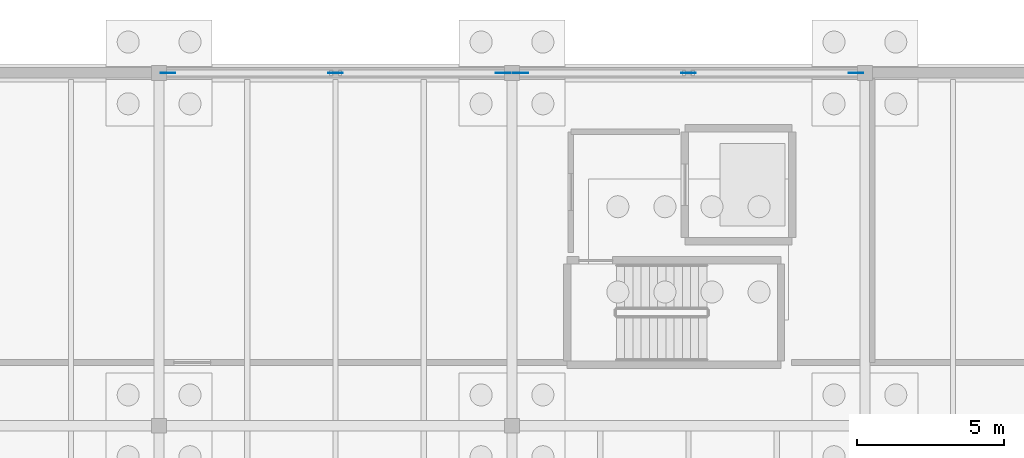
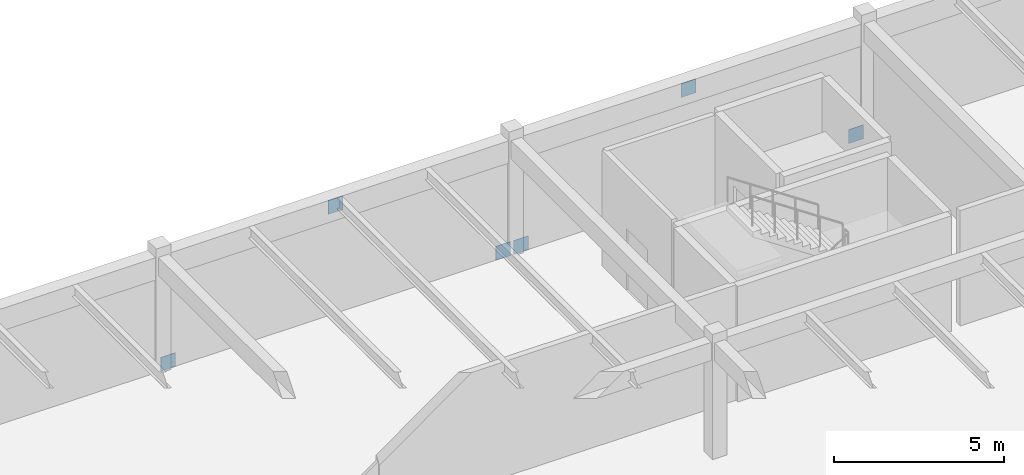
# One storey, part 9 of 20: 6 plates.
"""IFC4 building model written with IfcOpenShell, lengths in metres."""

from ifc_helpers import new_model, si_unit, direction, frame, origin, origin_2d, place, context, subcontext, project, spatial, rectangle, extrude, material, layer, layer_set, type_object, element, save


model = new_model("IFC4")

# Units and contexts
model_context = context("Model", 3, precision=1e-05, world=origin(), true_north=direction((0.0, 1.0)))
body_context = subcontext(model_context, "Body", "Model", "MODEL_VIEW")
ifc_project = project(units=[si_unit("LENGTHUNIT", "METRE"), si_unit("AREAUNIT", "SQUARE_METRE"), si_unit("VOLUMEUNIT", "CUBIC_METRE"), si_unit("PLANEANGLEUNIT", "RADIAN"), si_unit("MASSUNIT", "GRAM", prefix="KILO")], contexts=[model_context])

# Site, building, storey
site_placement = place(None, origin())
site = spatial("IfcSite", under=ifc_project, at=site_placement, CompositionType="ELEMENT")
building_placement = place(site_placement, origin())
building = spatial("IfcBuilding", under=site, at=building_placement, Name="Pandanus Reach Market Hall", CompositionType="ELEMENT")
storey_placement = place(building_placement, frame((0.0, 0.0, -4.5)))
storey = spatial("IfcBuildingStorey", under=building, at=storey_placement, Name="B1", CompositionType="ELEMENT", Elevation=-4.5)

# Plates
ifc_material = material(Name="Steel Grade 350 (350 MPa)", Category="steel")
ifc_layer = layer(ifc_material, 0.02001953125, Name="GS-PL20")
ifc_layer_set = layer_set([ifc_layer], Name="Steel Grade 350 (350 MPa)")
plate_type = type_object("IfcPlateType", Name="GS-PL20", PredefinedType="SHEET", material=ifc_layer_set)
for number, where, z_axis, x_axis, name in (
    (1, (96.300048828125, 120.0, -0.14990234375), (0.0, 0.0, 1.0), (1.0, 0.0, 0.0), "Brace gusset plate GS-PL20 1L"),
    (2, (102.0, 120.0, 3.5), (0.0, 0.0, 1.0), (1.0, 0.0, 0.0), "Brace gusset plate GS-PL20 1M"),
    (3, (107.699951171875, 120.0, -0.14990234375), (0.0, 0.0, 1.0), (1.0, 0.0, 0.0), "Brace gusset plate GS-PL20 1R"),
    (4, (108.300048828125, 120.0, -0.14990234375), (0.0, 0.0, 1.0), (1.0, 0.0, 0.0), "Brace gusset plate GS-PL20 2L"),
    (5, (114.0, 120.0, 3.5), (0.0, 0.0, 1.0), (1.0, 0.0, 0.0), "Brace gusset plate GS-PL20 2M"),
    (6, (119.699951171875, 120.0, -0.14990234375), (0.0, 0.0, 1.0), (1.0, 0.0, 0.0), "Brace gusset plate GS-PL20 2R"),
):
    element("IfcPlate", number, at=place(storey_placement, frame(where, z_axis=z_axis, x_axis=x_axis)), inside=storey, type_object=plate_type, Name=name, PredefinedType="SHEET", context=body_context, shape_type="SweptSolid", body=[
        extrude(rectangle(XDim=0.5, YDim=0.02001953125, at=origin_2d()), origin(), (0.0, 0.0, 1.0), 0.5),
    ])

save(model, "model.ifc")
